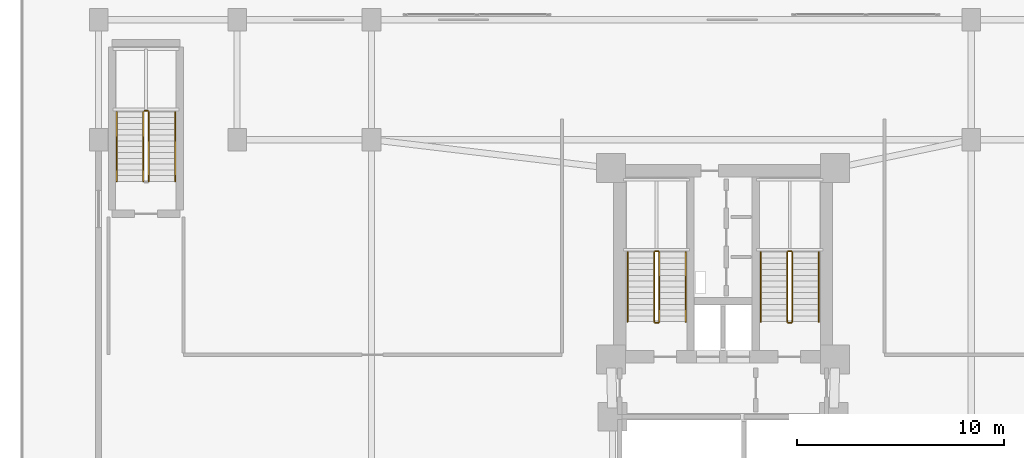
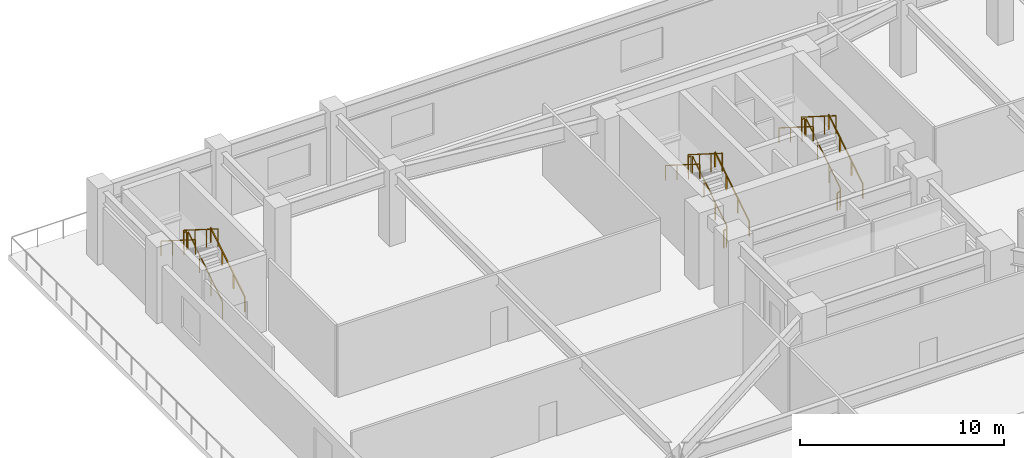
# One storey, part 10 of 10: 17 railings.
"""IFC4 building model written with IfcOpenShell, lengths in metres."""

import ifcopenshell
import ifcopenshell.guid

model = None  # the IFC model being written
_history = None  # IfcOwnerHistory: only IFC2X3 demands one
_inside = {}  # id of a spatial element -> (the spatial element, [elements in it])
_under = {}  # id of a project, library or spatial element -> (it, [spatial elements below it])
_declared = {}  # id of a project -> (the project, [libraries it declares])
_typed = {}  # id of a type object -> (the type object, [elements of that type])
_made_of = {}  # id of a material, layer set ... -> (it, [elements and type objects made of it])


def new_model(schema):
    """Start an empty IFC model of exactly this schema.

    Asked for "IFC4X3", IfcOpenShell would pick the latest addendum, in which some entities
    have other attributes; the version numbers below select the first issue.
    IFC2X3 requires an IfcOwnerHistory on every rooted entity: one is made here for all.
    """
    global model, _history
    if schema == "IFC4X3":
        model = ifcopenshell.file(schema_version=(4, 3, 0, 0))
    else:
        model = ifcopenshell.file(schema=schema)
    _inside.clear()
    _under.clear()
    _declared.clear()
    _typed.clear()
    _made_of.clear()
    _history = None
    if model.schema == "IFC2X3":
        org = make("IfcOrganization", Name="unknown")
        user = make(
            "IfcPersonAndOrganization",
            ThePerson=make("IfcPerson", FamilyName="unknown"),
            TheOrganization=org,
        )
        app = make(
            "IfcApplication",
            ApplicationDeveloper=org,
            Version="unknown",
            ApplicationFullName="unknown",
            ApplicationIdentifier="unknown",
        )
        _history = make(
            "IfcOwnerHistory",
            OwningUser=user,
            OwningApplication=app,
            ChangeAction="ADDED",
            CreationDate=0,
        )
    return model


def make(cls, **values):
    """One entity of the class cls with the attributes given. An attribute that is None is left unset."""
    return model.create_entity(
        cls, **{name: value for name, value in values.items() if value is not None}
    )


def rooted(cls, **values):
    """An entity with a GlobalId (a new one), such as an element, a storey or a relation."""
    return make(cls, GlobalId=ifcopenshell.guid.new(), OwnerHistory=_history, **values)


def si_unit(unit_type, name, prefix=None):
    """IfcSIUnit, for example si_unit("LENGTHUNIT", "METRE", prefix="MILLI")."""
    return make("IfcSIUnit", UnitType=unit_type, Prefix=prefix, Name=name)


def assignment(units):
    """IfcUnitAssignment: the units of a project."""
    return None if units is None else make("IfcUnitAssignment", Units=units)


def point(xyz):
    """IfcCartesianPoint."""
    return None if xyz is None else make("IfcCartesianPoint", Coordinates=xyz)


def direction(xyz):
    """IfcDirection."""
    return None if xyz is None else make("IfcDirection", DirectionRatios=xyz)


def frame(location, z_axis=None, x_axis=None):
    """IfcAxis2Placement3D, a coordinate frame: its origin and axes. An axis left out is left unset."""
    return make(
        "IfcAxis2Placement3D",
        Location=point(location),
        Axis=direction(z_axis),
        RefDirection=direction(x_axis),
    )


def frame_2d(location, x_axis=None):
    """IfcAxis2Placement2D, a coordinate frame in the plane: its origin and x axis."""
    return make(
        "IfcAxis2Placement2D", Location=point(location), RefDirection=direction(x_axis)
    )


def origin():
    """The frame at (0, 0, 0) with its axes left unset."""
    return frame((0.0, 0.0, 0.0))


def origin_2d():
    """The frame at (0, 0) in the plane with its x axis left unset."""
    return frame_2d((0.0, 0.0))


def place(relative_to, where):
    """IfcLocalPlacement: puts the frame where relative to a parent placement (None: the world)."""
    return make(
        "IfcLocalPlacement", PlacementRelTo=relative_to, RelativePlacement=where
    )


def context(
    kind, dimensions, precision=None, world=None, true_north=None, identifier=None
):
    """IfcGeometricRepresentationContext, for example the 3D "Model" context."""
    return make(
        "IfcGeometricRepresentationContext",
        ContextIdentifier=identifier,
        ContextType=kind,
        CoordinateSpaceDimension=dimensions,
        Precision=precision,
        WorldCoordinateSystem=world,
        TrueNorth=true_north,
    )


def subcontext(parent, identifier, kind, view, scale=None):
    """IfcGeometricRepresentationSubContext, for example "Body" below "Model"."""
    return make(
        "IfcGeometricRepresentationSubContext",
        ContextIdentifier=identifier,
        ContextType=kind,
        ParentContext=parent,
        TargetScale=scale,
        TargetView=view,
    )


def project(units=None, contexts=None):
    """IfcProject with its units and contexts."""
    return rooted(
        "IfcProject",
        Name="project",
        RepresentationContexts=contexts,
        UnitsInContext=assignment(units),
    )


def spatial(cls, under=None, at=None, **own):
    """A site, building, storey or space (cls), placed at a placement, below another one or the project."""
    s = rooted(cls, ObjectPlacement=at, **own)
    if under is not None:
        _under.setdefault(under.id(), (under, []))[1].append(s)
    return s


def profile(cls, at=None, kind="AREA", **sizes):
    """A parametric profile (cls). Its sizes go by their IFC names, for example OverallWidth=200.0."""
    return make(cls, ProfileType=kind, Position=at, **sizes)


def rectangle(**sizes):
    """IfcRectangleProfileDef."""
    return profile("IfcRectangleProfileDef", **sizes)


def extrude(swept, where, along, depth):
    """IfcExtrudedAreaSolid: the profile swept, set in the frame where, extruded along a direction by depth."""
    return make(
        "IfcExtrudedAreaSolid",
        SweptArea=swept,
        Position=where,
        ExtrudedDirection=direction(along),
        Depth=depth,
    )


def shape(context_of_items, identifier, shape_type, items):
    """IfcShapeRepresentation: the items that make up one representation, for example the "Body"."""
    return make(
        "IfcShapeRepresentation",
        ContextOfItems=context_of_items,
        RepresentationIdentifier=identifier,
        RepresentationType=shape_type,
        Items=items,
    )


def material(Name=None, Category=None):
    """IfcMaterial."""
    return make("IfcMaterial", Name=Name, Category=Category)


def made_of(thing, what):
    """Note that an element or type object is made of a material, layer set ...; save() writes the relation."""
    if what is not None:
        _made_of.setdefault(what.id(), (what, []))[1].append(thing)
    return thing


def type_object(cls, material=None, **own):
    """A type object (cls), such as IfcWallType, which elements share."""
    return made_of(rooted(cls, **own), material)


def element(
    cls,
    number,
    at=None,
    inside=None,
    cuts=None,
    type_object=None,
    material=None,
    context=None,
    identifier="Body",
    shape_type=None,
    held_by="IfcProductDefinitionShape",
    body=None,
    shapes=None,
    **own,
):
    """One element of the class cls, such as IfcWall. Its Tag is "e" and its number.

    at: its placement. inside: the storey or other place that contains it. cuts: it is an
    opening in that element (IfcRelVoidsElement). A single representation is given by context,
    identifier, shape_type and body (its items); several are given by shapes. held_by: the class
    of the entity that holds the representations. save() writes the other relations.
    """
    e = rooted(cls, Tag="e%d" % number, ObjectPlacement=at, **own)
    if body is not None:
        shapes = [shape(context, identifier, shape_type, body)]
    if shapes is not None:
        e.Representation = make(held_by, Representations=shapes)
    if inside is not None:
        _inside.setdefault(inside.id(), (inside, []))[1].append(e)
    if cuts is not None:
        rooted(
            "IfcRelVoidsElement", RelatingBuildingElement=cuts, RelatedOpeningElement=e
        )
    if type_object is not None:
        _typed.setdefault(type_object.id(), (type_object, []))[1].append(e)
    return made_of(e, material)


def aggregate(whole, parts):
    """IfcRelAggregates: a whole, such as a stair, and the parts it consists of."""
    return rooted("IfcRelAggregates", RelatingObject=whole, RelatedObjects=parts)


def save(model, path):
    """Write the relations noted so far, then the file.

    IfcRelAggregates (storeys below a building ...), IfcRelContainedInSpatialStructure (elements
    in a storey), IfcRelDefinesByType, IfcRelAssociatesMaterial and IfcRelDeclares: one each for
    every whole, place, type object, material and project.
    """
    for whole, parts in _under.values():
        aggregate(whole, parts)
    for where, things in _inside.values():
        rooted(
            "IfcRelContainedInSpatialStructure",
            RelatedElements=things,
            RelatingStructure=where,
        )
    for kind, things in _typed.values():
        rooted("IfcRelDefinesByType", RelatedObjects=things, RelatingType=kind)
    for what, things in _made_of.values():
        rooted("IfcRelAssociatesMaterial", RelatedObjects=things, RelatingMaterial=what)
    for by, libraries in _declared.values():
        rooted("IfcRelDeclares", RelatingContext=by, RelatedDefinitions=libraries)
    model.write(path)


model = new_model("IFC4")

# Units and contexts
model_context = context("Model", 3, precision=1e-05, world=origin(), true_north=direction((0.0, 1.0)))
body_context = subcontext(model_context, "Body", "Model", "MODEL_VIEW")
ifc_project = project(units=[si_unit("LENGTHUNIT", "METRE"), si_unit("AREAUNIT", "SQUARE_METRE"), si_unit("VOLUMEUNIT", "CUBIC_METRE"), si_unit("PLANEANGLEUNIT", "RADIAN"), si_unit("MASSUNIT", "GRAM", prefix="KILO")], contexts=[model_context])

# Site, building, storey
site_placement = place(None, origin())
site = spatial("IfcSite", under=ifc_project, at=site_placement, CompositionType="ELEMENT")
building_placement = place(site_placement, origin())
building = spatial("IfcBuilding", under=site, at=building_placement, Name="Varnakorn Sky Granary", CompositionType="ELEMENT")
storey_placement = place(building_placement, frame((0.0, 0.0, 13.800048828125)))
storey = spatial("IfcBuildingStorey", under=building, at=storey_placement, Name="L03", CompositionType="ELEMENT", Elevation=13.800048828125)

# Railings
ifc_material = material(Name="Brushed Stainless Steel 316", Category="steel")
railing_type_1 = type_object("IfcRailingType", Name="RL-STAIR-1100", PredefinedType="GUARDRAIL", material=ifc_material)
railing_1_placement = place(storey_placement, frame((-0.090087890625, 5.199951171875, 0.1767578125)))
element("IfcRailing", 1, at=railing_1_placement, inside=storey, type_object=railing_type_1, Name="L03 ST-1 stair guard 1", PredefinedType="GUARDRAIL", context=body_context, shape_type="SweptSolid", body=[
    extrude(rectangle(XDim=0.048095703125, YDim=0.048095703125, at=origin_2d()), frame((0.0, 0.0, 1.076171875), z_axis=(0.0, 0.845361898145, 0.534194029511), x_axis=(-1.0, 0.0, 0.0)), (0.0, 0.0, 1.0), 3.974853515625),
    extrude(rectangle(XDim=0.0419921875, YDim=0.0419921875, at=origin_2d()), origin(), (0.0, 0.0, 1.0), 1.048095703125),
    extrude(rectangle(XDim=0.0419921875, YDim=0.0419921875, at=origin_2d()), frame((0.0, 1.1201171875, 0.707763671875)), (0.0, 0.0, 1.0), 1.048095703125),
    extrude(rectangle(XDim=0.0419921875, YDim=0.0419921875, at=origin_2d()), frame((0.0, 2.239990234375, 1.41552734375)), (0.0, 0.0, 1.0), 1.048095703125),
    extrude(rectangle(XDim=0.0419921875, YDim=0.0419921875, at=origin_2d()), frame((0.0, 3.360107421875, 2.123291015625)), (0.0, 0.0, 1.0), 1.048095703125),
])
railing_2_placement = place(storey_placement, frame((-0.139892578125, 8.610107421875, 2.300048828125)))
element("IfcRailing", 2, at=railing_2_placement, inside=storey, type_object=railing_type_1, Name="L03 ST-1 stair guard 2", PredefinedType="GUARDRAIL", context=body_context, shape_type="SweptSolid", body=[
    extrude(rectangle(XDim=0.048095703125, YDim=0.048095703125, at=origin_2d()), frame((0.0, 0.0, 1.076171875), z_axis=(-1.0, 0.0, 0.0), x_axis=(0.0, -1.0, 0.0)), (0.0, 0.0, 1.0), 0.150146484375),
    extrude(rectangle(XDim=0.0419921875, YDim=0.0419921875, at=origin_2d()), origin(), (0.0, 0.0, 1.0), 1.048095703125),
    extrude(rectangle(XDim=0.0419921875, YDim=0.0419921875, at=origin_2d()), frame((-0.150146484375, 0.0, 0.0)), (0.0, 0.0, 1.0), 1.048095703125),
])
railing_3_placement = place(storey_placement, frame((-0.340087890625, 8.56005859375, 2.476806640625)))
element("IfcRailing", 3, at=railing_3_placement, inside=storey, type_object=railing_type_1, Name="L03 ST-1 stair guard 3", PredefinedType="GUARDRAIL", context=body_context, shape_type="SweptSolid", body=[
    extrude(rectangle(XDim=0.048095703125, YDim=0.048095703125, at=origin_2d()), frame((0.0, 0.0, 1.076171875), z_axis=(0.0, -0.845389635667, 0.534150132366), x_axis=(1.0, 0.0, 0.0)), (0.0, 0.0, 1.0), 3.974609375),
    extrude(rectangle(XDim=0.0419921875, YDim=0.0419921875, at=origin_2d()), origin(), (0.0, 0.0, 1.0), 1.048095703125),
    extrude(rectangle(XDim=0.0419921875, YDim=0.0419921875, at=origin_2d()), frame((0.0, -1.1201171875, 0.707763671875)), (0.0, 0.0, 1.0), 1.048095703125),
    extrude(rectangle(XDim=0.0419921875, YDim=0.0419921875, at=origin_2d()), frame((0.0, -2.239990234375, 1.415283203125)), (0.0, 0.0, 1.0), 1.048095703125),
    extrude(rectangle(XDim=0.0419921875, YDim=0.0419921875, at=origin_2d()), frame((0.0, -3.360107421875, 2.123046875)), (0.0, 0.0, 1.0), 1.048095703125),
])
railing_4_placement = place(storey_placement, frame((-0.139892578125, 5.14990234375, 0.0)))
element("IfcRailing", 4, at=railing_4_placement, inside=storey, type_object=railing_type_1, Name="L03 ST-1 stair guard 4", PredefinedType="GUARDRAIL", context=body_context, shape_type="SweptSolid", body=[
    extrude(rectangle(XDim=0.048095703125, YDim=0.048095703125, at=origin_2d()), frame((0.0, 0.0, 1.076171875), z_axis=(-1.0, 0.0, 0.0), x_axis=(0.0, -1.0, 0.0)), (0.0, 0.0, 1.0), 0.150146484375),
    extrude(rectangle(XDim=0.0419921875, YDim=0.0419921875, at=origin_2d()), origin(), (0.0, 0.0, 1.0), 1.048095703125),
    extrude(rectangle(XDim=0.0419921875, YDim=0.0419921875, at=origin_2d()), frame((-0.150146484375, 0.0, 0.0)), (0.0, 0.0, 1.0), 1.048095703125),
])
railing_5_placement = place(storey_placement, frame((6.35009765625, 5.199951171875, 0.1767578125)))
element("IfcRailing", 5, at=railing_5_placement, inside=storey, type_object=railing_type_1, Name="L03 ST-2 stair guard 1", PredefinedType="GUARDRAIL", context=body_context, shape_type="SweptSolid", body=[
    extrude(rectangle(XDim=0.048095703125, YDim=0.048095703125, at=origin_2d()), frame((0.0, 0.0, 1.076171875), z_axis=(0.0, 0.845361898145, 0.534194029511), x_axis=(-1.0, 0.0, 0.0)), (0.0, 0.0, 1.0), 3.974853515625),
    extrude(rectangle(XDim=0.0419921875, YDim=0.0419921875, at=origin_2d()), origin(), (0.0, 0.0, 1.0), 1.048095703125),
    extrude(rectangle(XDim=0.0419921875, YDim=0.0419921875, at=origin_2d()), frame((0.0, 1.1201171875, 0.707763671875)), (0.0, 0.0, 1.0), 1.048095703125),
    extrude(rectangle(XDim=0.0419921875, YDim=0.0419921875, at=origin_2d()), frame((0.0, 2.239990234375, 1.41552734375)), (0.0, 0.0, 1.0), 1.048095703125),
    extrude(rectangle(XDim=0.0419921875, YDim=0.0419921875, at=origin_2d()), frame((0.0, 3.360107421875, 2.123291015625)), (0.0, 0.0, 1.0), 1.048095703125),
])
railing_6_placement = place(storey_placement, frame((6.300048828125, 8.610107421875, 2.300048828125)))
element("IfcRailing", 6, at=railing_6_placement, inside=storey, type_object=railing_type_1, Name="L03 ST-2 stair guard 2", PredefinedType="GUARDRAIL", context=body_context, shape_type="SweptSolid", body=[
    extrude(rectangle(XDim=0.048095703125, YDim=0.048095703125, at=origin_2d()), frame((0.0, 0.0, 1.076171875), z_axis=(-1.0, 0.0, 0.0), x_axis=(0.0, -1.0, 0.0)), (0.0, 0.0, 1.0), 0.150146484375),
    extrude(rectangle(XDim=0.0419921875, YDim=0.0419921875, at=origin_2d()), origin(), (0.0, 0.0, 1.0), 1.048095703125),
    extrude(rectangle(XDim=0.0419921875, YDim=0.0419921875, at=origin_2d()), frame((-0.150146484375, 0.0, 0.0)), (0.0, 0.0, 1.0), 1.048095703125),
])
railing_7_placement = place(storey_placement, frame((6.10009765625, 8.56005859375, 2.476806640625)))
element("IfcRailing", 7, at=railing_7_placement, inside=storey, type_object=railing_type_1, Name="L03 ST-2 stair guard 3", PredefinedType="GUARDRAIL", context=body_context, shape_type="SweptSolid", body=[
    extrude(rectangle(XDim=0.048095703125, YDim=0.048095703125, at=origin_2d()), frame((0.0, 0.0, 1.076171875), z_axis=(0.0, -0.845389635667, 0.534150132366), x_axis=(1.0, 0.0, 0.0)), (0.0, 0.0, 1.0), 3.974609375),
    extrude(rectangle(XDim=0.0419921875, YDim=0.0419921875, at=origin_2d()), origin(), (0.0, 0.0, 1.0), 1.048095703125),
    extrude(rectangle(XDim=0.0419921875, YDim=0.0419921875, at=origin_2d()), frame((0.0, -1.1201171875, 0.707763671875)), (0.0, 0.0, 1.0), 1.048095703125),
    extrude(rectangle(XDim=0.0419921875, YDim=0.0419921875, at=origin_2d()), frame((0.0, -2.239990234375, 1.415283203125)), (0.0, 0.0, 1.0), 1.048095703125),
    extrude(rectangle(XDim=0.0419921875, YDim=0.0419921875, at=origin_2d()), frame((0.0, -3.360107421875, 2.123046875)), (0.0, 0.0, 1.0), 1.048095703125),
])
railing_8_placement = place(storey_placement, frame((6.300048828125, 5.14990234375, 0.0)))
element("IfcRailing", 8, at=railing_8_placement, inside=storey, type_object=railing_type_1, Name="L03 ST-2 stair guard 4", PredefinedType="GUARDRAIL", context=body_context, shape_type="SweptSolid", body=[
    extrude(rectangle(XDim=0.048095703125, YDim=0.048095703125, at=origin_2d()), frame((0.0, 0.0, 1.076171875), z_axis=(-1.0, 0.0, 0.0), x_axis=(0.0, -1.0, 0.0)), (0.0, 0.0, 1.0), 0.150146484375),
    extrude(rectangle(XDim=0.0419921875, YDim=0.0419921875, at=origin_2d()), origin(), (0.0, 0.0, 1.0), 1.048095703125),
    extrude(rectangle(XDim=0.0419921875, YDim=0.0419921875, at=origin_2d()), frame((-0.150146484375, 0.0, 0.0)), (0.0, 0.0, 1.0), 1.048095703125),
])
railing_9_placement = place(storey_placement, frame((-24.780029296875, 11.97998046875, 0.1767578125)))
element("IfcRailing", 9, at=railing_9_placement, inside=storey, type_object=railing_type_1, Name="L03 ST-B3 stair guard 1", PredefinedType="GUARDRAIL", context=body_context, shape_type="SweptSolid", body=[
    extrude(rectangle(XDim=0.048095703125, YDim=0.048095703125, at=origin_2d()), frame((0.0, 0.0, 1.076171875), z_axis=(0.0, 0.845361898145, 0.534194029511), x_axis=(-1.0, 0.0, 0.0)), (0.0, 0.0, 1.0), 3.974853515625),
    extrude(rectangle(XDim=0.0419921875, YDim=0.0419921875, at=origin_2d()), origin(), (0.0, 0.0, 1.0), 1.048095703125),
    extrude(rectangle(XDim=0.0419921875, YDim=0.0419921875, at=origin_2d()), frame((0.0, 1.1201171875, 0.707763671875)), (0.0, 0.0, 1.0), 1.048095703125),
    extrude(rectangle(XDim=0.0419921875, YDim=0.0419921875, at=origin_2d()), frame((0.0, 2.239990234375, 1.41552734375)), (0.0, 0.0, 1.0), 1.048095703125),
    extrude(rectangle(XDim=0.0419921875, YDim=0.0419921875, at=origin_2d()), frame((0.0, 3.360107421875, 2.123291015625)), (0.0, 0.0, 1.0), 1.048095703125),
])
railing_10_placement = place(storey_placement, frame((-24.830078125, 15.389892578125, 2.300048828125)))
element("IfcRailing", 10, at=railing_10_placement, inside=storey, type_object=railing_type_1, Name="L03 ST-B3 stair guard 2", PredefinedType="GUARDRAIL", context=body_context, shape_type="SweptSolid", body=[
    extrude(rectangle(XDim=0.048095703125, YDim=0.048095703125, at=origin_2d()), frame((0.0, 0.0, 1.076171875), z_axis=(-1.0, 0.0, 0.0), x_axis=(0.0, -1.0, 0.0)), (0.0, 0.0, 1.0), 0.14990234375),
    extrude(rectangle(XDim=0.0419921875, YDim=0.0419921875, at=origin_2d()), origin(), (0.0, 0.0, 1.0), 1.048095703125),
    extrude(rectangle(XDim=0.0419921875, YDim=0.0419921875, at=origin_2d()), frame((-0.14990234375, 0.0, 0.0)), (0.0, 0.0, 1.0), 1.048095703125),
])
railing_11_placement = place(storey_placement, frame((-25.030029296875, 15.340087890625, 2.476806640625)))
element("IfcRailing", 11, at=railing_11_placement, inside=storey, type_object=railing_type_1, Name="L03 ST-B3 stair guard 3", PredefinedType="GUARDRAIL", context=body_context, shape_type="SweptSolid", body=[
    extrude(rectangle(XDim=0.048095703125, YDim=0.048095703125, at=origin_2d()), frame((0.0, 0.0, 1.076171875), z_axis=(0.0, -0.845389635667, 0.534150132366), x_axis=(1.0, 0.0, 0.0)), (0.0, 0.0, 1.0), 3.974609375),
    extrude(rectangle(XDim=0.0419921875, YDim=0.0419921875, at=origin_2d()), origin(), (0.0, 0.0, 1.0), 1.048095703125),
    extrude(rectangle(XDim=0.0419921875, YDim=0.0419921875, at=origin_2d()), frame((0.0, -1.1201171875, 0.707763671875)), (0.0, 0.0, 1.0), 1.048095703125),
    extrude(rectangle(XDim=0.0419921875, YDim=0.0419921875, at=origin_2d()), frame((0.0, -2.239990234375, 1.415283203125)), (0.0, 0.0, 1.0), 1.048095703125),
    extrude(rectangle(XDim=0.0419921875, YDim=0.0419921875, at=origin_2d()), frame((0.0, -3.360107421875, 2.123046875)), (0.0, 0.0, 1.0), 1.048095703125),
])
railing_type_2 = type_object("IfcRailingType", Name="RL-STAIR-920", PredefinedType="HANDRAIL", material=ifc_material)
railing_12_placement = place(storey_placement, frame((1.18994140625, 5.199951171875, 0.1767578125)))
element("IfcRailing", 12, at=railing_12_placement, inside=storey, type_object=railing_type_2, Name="L03 ST-1 stair handrail 1", PredefinedType="HANDRAIL", context=body_context, shape_type="SweptSolid", body=[
    extrude(rectangle(XDim=0.048095703125, YDim=0.048095703125, at=origin_2d()), frame((0.0, 0.0, 0.8759765625), z_axis=(0.0, 0.845361898145, 0.534194029511), x_axis=(-1.0, 0.0, 0.0)), (0.0, 0.0, 1.0), 3.974853515625),
    extrude(rectangle(XDim=0.0419921875, YDim=0.0419921875, at=origin_2d()), origin(), (0.0, 0.0, 1.0), 0.847900390625),
    extrude(rectangle(XDim=0.0419921875, YDim=0.0419921875, at=origin_2d()), frame((0.0, 1.1201171875, 0.707763671875)), (0.0, 0.0, 1.0), 0.847900390625),
    extrude(rectangle(XDim=0.0419921875, YDim=0.0419921875, at=origin_2d()), frame((0.0, 2.239990234375, 1.41552734375)), (0.0, 0.0, 1.0), 0.847900390625),
    extrude(rectangle(XDim=0.0419921875, YDim=0.0419921875, at=origin_2d()), frame((0.0, 3.360107421875, 2.123291015625)), (0.0, 0.0, 1.0), 0.847900390625),
])
railing_13_placement = place(storey_placement, frame((-1.6201171875, 8.56005859375, 2.476806640625)))
element("IfcRailing", 13, at=railing_13_placement, inside=storey, type_object=railing_type_2, Name="L03 ST-1 stair handrail 2", PredefinedType="HANDRAIL", context=body_context, shape_type="SweptSolid", body=[
    extrude(rectangle(XDim=0.048095703125, YDim=0.048095703125, at=origin_2d()), frame((0.0, 0.0, 0.8759765625), z_axis=(0.0, -0.845389635667, 0.534150132366), x_axis=(1.0, 0.0, 0.0)), (0.0, 0.0, 1.0), 3.974609375),
    extrude(rectangle(XDim=0.0419921875, YDim=0.0419921875, at=origin_2d()), origin(), (0.0, 0.0, 1.0), 0.847900390625),
    extrude(rectangle(XDim=0.0419921875, YDim=0.0419921875, at=origin_2d()), frame((0.0, -1.1201171875, 0.707763671875)), (0.0, 0.0, 1.0), 0.847900390625),
    extrude(rectangle(XDim=0.0419921875, YDim=0.0419921875, at=origin_2d()), frame((0.0, -2.239990234375, 1.415283203125)), (0.0, 0.0, 1.0), 0.847900390625),
    extrude(rectangle(XDim=0.0419921875, YDim=0.0419921875, at=origin_2d()), frame((0.0, -3.360107421875, 2.123046875)), (0.0, 0.0, 1.0), 0.847900390625),
])
railing_14_placement = place(storey_placement, frame((7.6298828125, 5.199951171875, 0.1767578125)))
element("IfcRailing", 14, at=railing_14_placement, inside=storey, type_object=railing_type_2, Name="L03 ST-2 stair handrail 1", PredefinedType="HANDRAIL", context=body_context, shape_type="SweptSolid", body=[
    extrude(rectangle(XDim=0.048095703125, YDim=0.048095703125, at=origin_2d()), frame((0.0, 0.0, 0.8759765625), z_axis=(0.0, 0.845361898145, 0.534194029511), x_axis=(-1.0, 0.0, 0.0)), (0.0, 0.0, 1.0), 3.974853515625),
    extrude(rectangle(XDim=0.0419921875, YDim=0.0419921875, at=origin_2d()), origin(), (0.0, 0.0, 1.0), 0.847900390625),
    extrude(rectangle(XDim=0.0419921875, YDim=0.0419921875, at=origin_2d()), frame((0.0, 1.1201171875, 0.707763671875)), (0.0, 0.0, 1.0), 0.847900390625),
    extrude(rectangle(XDim=0.0419921875, YDim=0.0419921875, at=origin_2d()), frame((0.0, 2.239990234375, 1.41552734375)), (0.0, 0.0, 1.0), 0.847900390625),
    extrude(rectangle(XDim=0.0419921875, YDim=0.0419921875, at=origin_2d()), frame((0.0, 3.360107421875, 2.123291015625)), (0.0, 0.0, 1.0), 0.847900390625),
])
railing_15_placement = place(storey_placement, frame((4.820068359375, 8.56005859375, 2.476806640625)))
element("IfcRailing", 15, at=railing_15_placement, inside=storey, type_object=railing_type_2, Name="L03 ST-2 stair handrail 2", PredefinedType="HANDRAIL", context=body_context, shape_type="SweptSolid", body=[
    extrude(rectangle(XDim=0.048095703125, YDim=0.048095703125, at=origin_2d()), frame((0.0, 0.0, 0.8759765625), z_axis=(0.0, -0.845389635667, 0.534150132366), x_axis=(1.0, 0.0, 0.0)), (0.0, 0.0, 1.0), 3.974609375),
    extrude(rectangle(XDim=0.0419921875, YDim=0.0419921875, at=origin_2d()), origin(), (0.0, 0.0, 1.0), 0.847900390625),
    extrude(rectangle(XDim=0.0419921875, YDim=0.0419921875, at=origin_2d()), frame((0.0, -1.1201171875, 0.707763671875)), (0.0, 0.0, 1.0), 0.847900390625),
    extrude(rectangle(XDim=0.0419921875, YDim=0.0419921875, at=origin_2d()), frame((0.0, -2.239990234375, 1.415283203125)), (0.0, 0.0, 1.0), 0.847900390625),
    extrude(rectangle(XDim=0.0419921875, YDim=0.0419921875, at=origin_2d()), frame((0.0, -3.360107421875, 2.123046875)), (0.0, 0.0, 1.0), 0.847900390625),
])
railing_16_placement = place(storey_placement, frame((-23.5, 11.97998046875, 0.1767578125)))
element("IfcRailing", 16, at=railing_16_placement, inside=storey, type_object=railing_type_2, Name="L03 ST-B3 stair handrail 1", PredefinedType="HANDRAIL", context=body_context, shape_type="SweptSolid", body=[
    extrude(rectangle(XDim=0.048095703125, YDim=0.048095703125, at=origin_2d()), frame((0.0, 0.0, 0.8759765625), z_axis=(0.0, 0.845361898145, 0.534194029511), x_axis=(-1.0, 0.0, 0.0)), (0.0, 0.0, 1.0), 3.974853515625),
    extrude(rectangle(XDim=0.0419921875, YDim=0.0419921875, at=origin_2d()), origin(), (0.0, 0.0, 1.0), 0.847900390625),
    extrude(rectangle(XDim=0.0419921875, YDim=0.0419921875, at=origin_2d()), frame((0.0, 1.1201171875, 0.707763671875)), (0.0, 0.0, 1.0), 0.847900390625),
    extrude(rectangle(XDim=0.0419921875, YDim=0.0419921875, at=origin_2d()), frame((0.0, 2.239990234375, 1.41552734375)), (0.0, 0.0, 1.0), 0.847900390625),
    extrude(rectangle(XDim=0.0419921875, YDim=0.0419921875, at=origin_2d()), frame((0.0, 3.360107421875, 2.123291015625)), (0.0, 0.0, 1.0), 0.847900390625),
])
railing_17_placement = place(storey_placement, frame((-26.31005859375, 15.340087890625, 2.476806640625)))
element("IfcRailing", 17, at=railing_17_placement, inside=storey, type_object=railing_type_2, Name="L03 ST-B3 stair handrail 2", PredefinedType="HANDRAIL", context=body_context, shape_type="SweptSolid", body=[
    extrude(rectangle(XDim=0.048095703125, YDim=0.048095703125, at=origin_2d()), frame((0.0, 0.0, 0.8759765625), z_axis=(0.0, -0.845389635667, 0.534150132366), x_axis=(1.0, 0.0, 0.0)), (0.0, 0.0, 1.0), 3.974609375),
    extrude(rectangle(XDim=0.0419921875, YDim=0.0419921875, at=origin_2d()), origin(), (0.0, 0.0, 1.0), 0.847900390625),
    extrude(rectangle(XDim=0.0419921875, YDim=0.0419921875, at=origin_2d()), frame((0.0, -1.1201171875, 0.707763671875)), (0.0, 0.0, 1.0), 0.847900390625),
    extrude(rectangle(XDim=0.0419921875, YDim=0.0419921875, at=origin_2d()), frame((0.0, -2.239990234375, 1.415283203125)), (0.0, 0.0, 1.0), 0.847900390625),
    extrude(rectangle(XDim=0.0419921875, YDim=0.0419921875, at=origin_2d()), frame((0.0, -3.360107421875, 2.123046875)), (0.0, 0.0, 1.0), 0.847900390625),
])

save(model, "model.ifc")
